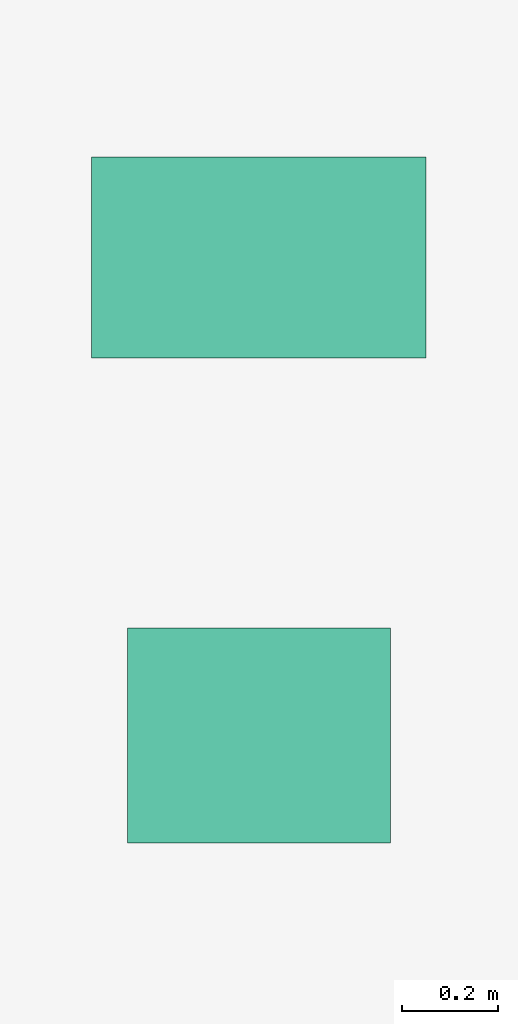
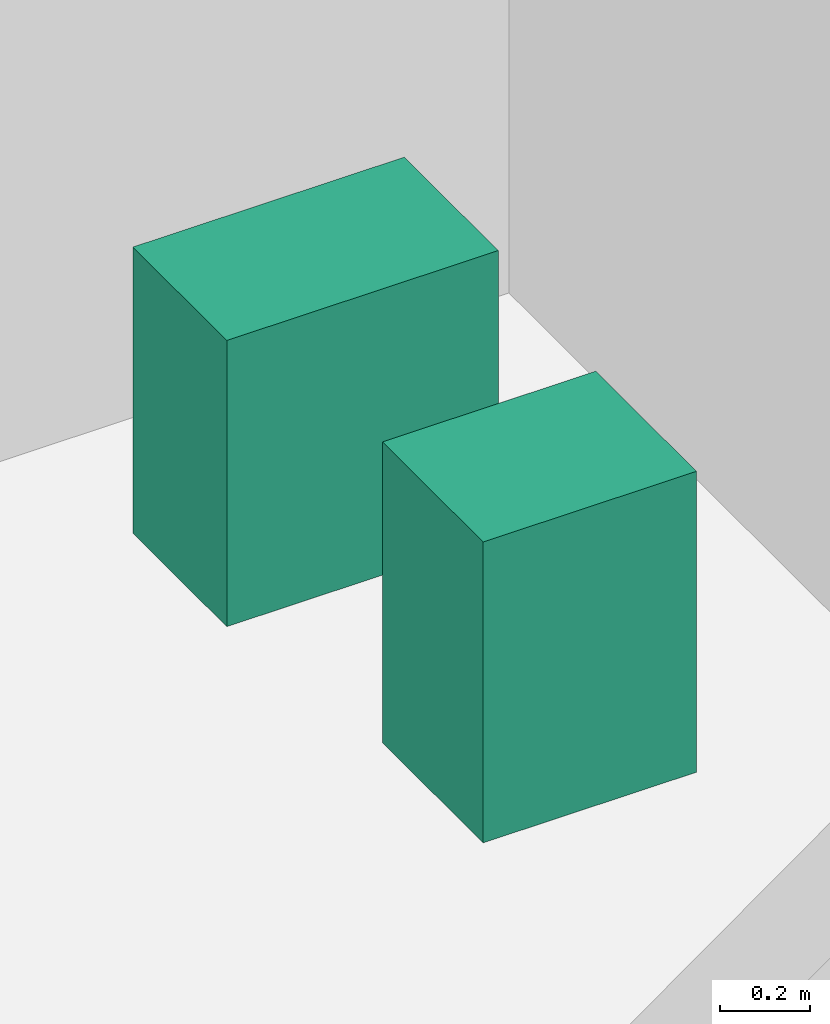
# One storey, part 26 of 26: 2 sanitary terminals.
"""IFC4 building model written with IfcOpenShell, lengths in metres."""

from ifc_helpers import new_model, si_unit, direction, frame, origin, origin_2d, place, context, subcontext, project, spatial, rectangle, extrude, source, transform, mapped, material, type_object, element, save


model = new_model("IFC4")

# Units and contexts
model_context = context("Model", 3, precision=1e-05, world=origin(), true_north=direction((0.0, 1.0)))
body_context = subcontext(model_context, "Body", "Model", "MODEL_VIEW")
ifc_project = project(units=[si_unit("LENGTHUNIT", "METRE"), si_unit("AREAUNIT", "SQUARE_METRE"), si_unit("VOLUMEUNIT", "CUBIC_METRE"), si_unit("PLANEANGLEUNIT", "RADIAN"), si_unit("MASSUNIT", "GRAM", prefix="KILO")], contexts=[model_context])

# Site, building, storey
site_placement = place(None, origin())
site = spatial("IfcSite", under=ifc_project, at=site_placement, CompositionType="ELEMENT")
building_placement = place(site_placement, origin())
building = spatial("IfcBuilding", under=site, at=building_placement, Name="Sumidabori Civic Tower", CompositionType="ELEMENT")
storey_placement = place(building_placement, frame((0.0, 0.0, 254.0)))
storey = spatial("IfcBuildingStorey", under=building, at=storey_placement, Name="L66", CompositionType="ELEMENT", Elevation=254.0)

# Sanitary terminals
ifc_material = material(Name="Vitreous Sanitary Porcelain")
sanitary_terminal_type_1 = type_object("IfcSanitaryTerminalType", Name="SN-WC-1", PredefinedType="TOILETPAN", material=ifc_material)
shared_shape_1 = source(origin(), body_context, "Body", "SweptSolid", [
    extrude(rectangle(XDim=0.699951171875, YDim=0.419921875, at=origin_2d()), origin(), (0.0, 0.0, 1.0), 0.780029296875),
])
sanitary_terminal_1_placement = place(storey_placement, frame((10.800048828125, 21.85009765625, 0.0), z_axis=(0.0, 0.0, 1.0), x_axis=(1.0, 0.0, 0.0)))
element("IfcSanitaryTerminal", 1, at=sanitary_terminal_1_placement, inside=storey, type_object=sanitary_terminal_type_1, Name="Accessible WC Pan L66", PredefinedType="TOILETPAN", context=body_context, shape_type="MappedRepresentation", body=[
    mapped(shared_shape_1, transform((0.0, 0.0, 0.0), x_axis=(1.0, 0.0, 0.0), y_axis=(0.0, 1.0, 0.0), z_axis=(0.0, 0.0, 1.0), scale=1.0)),
])
sanitary_terminal_type_2 = type_object("IfcSanitaryTerminalType", Name="SN-BAS-1", PredefinedType="WASHHANDBASIN", material=ifc_material)
shared_shape_2 = source(origin(), body_context, "Body", "SweptSolid", [
    extrude(rectangle(XDim=0.550048828125, YDim=0.449951171875, at=origin_2d()), origin(), (0.0, 0.0, 1.0), 0.820068359375),
])
sanitary_terminal_2_placement = place(storey_placement, frame((10.800048828125, 20.85009765625, 0.0), z_axis=(0.0, 0.0, 1.0), x_axis=(1.0, 0.0, 0.0)))
element("IfcSanitaryTerminal", 2, at=sanitary_terminal_2_placement, inside=storey, type_object=sanitary_terminal_type_2, Name="Accessible Basin L66", PredefinedType="WASHHANDBASIN", context=body_context, shape_type="MappedRepresentation", body=[
    mapped(shared_shape_2, transform((0.0, 0.0, 0.0), x_axis=(1.0, 0.0, 0.0), y_axis=(0.0, 1.0, 0.0), z_axis=(0.0, 0.0, 1.0), scale=1.0)),
])

save(model, "model.ifc")
